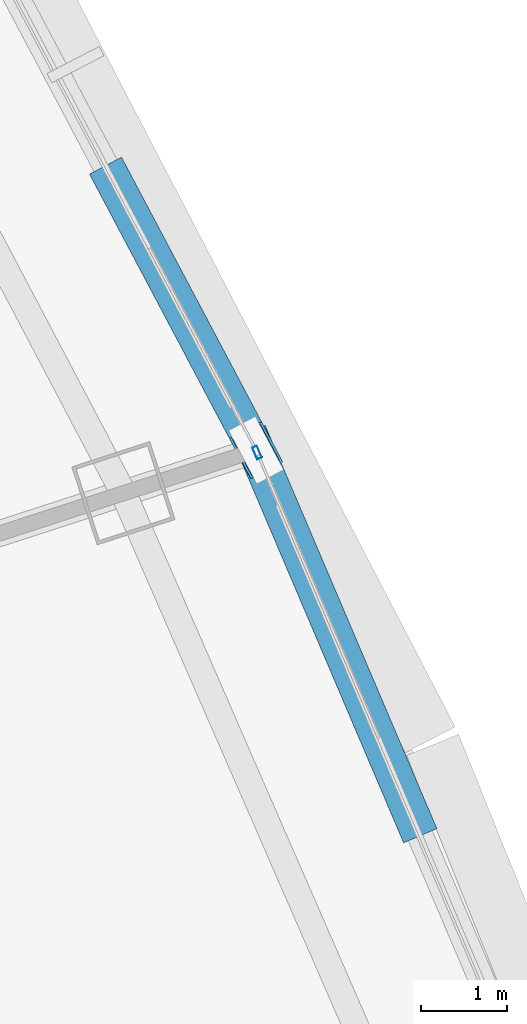
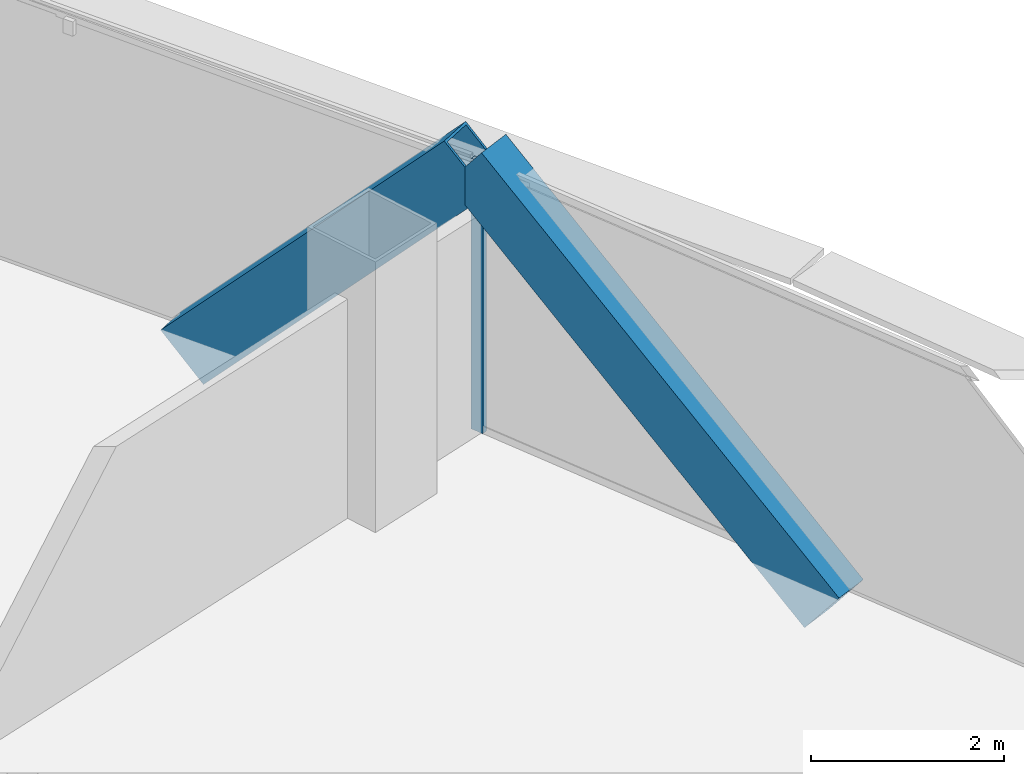
# One storey, part 26 of 39: 3 members, 1 element without a shape of its own.
"""IFC4 building model written with IfcOpenShell, lengths in metres."""

from ifc_helpers import new_model, si_unit, direction, frame, origin, origin_2d, place, context, subcontext, project, spatial, hollow_rectangle, extrude, source, transform, mapped, material, layer, layer_set, material_profile, profile_set, type_object, element, aggregate, save


model = new_model("IFC4")

# Units and contexts
model_context = context("Model", 3, precision=1e-05, world=origin(), true_north=direction((0.0, 1.0)))
body_context = subcontext(model_context, "Body", "Model", "MODEL_VIEW")
ifc_project = project(units=[si_unit("LENGTHUNIT", "METRE"), si_unit("AREAUNIT", "SQUARE_METRE"), si_unit("VOLUMEUNIT", "CUBIC_METRE"), si_unit("PLANEANGLEUNIT", "RADIAN"), si_unit("MASSUNIT", "GRAM", prefix="KILO"), si_unit("THERMODYNAMICTEMPERATUREUNIT", "KELVIN"), si_unit("POWERUNIT", "WATT")], contexts=[model_context])

# Site, building, storey
site_placement = place(None, origin())
site = spatial("IfcSite", under=ifc_project, at=site_placement, CompositionType="ELEMENT")
building_placement = place(site_placement, origin())
building = spatial("IfcBuilding", under=site, at=building_placement, Name="Yunzhuo Pagoda Commons", CompositionType="ELEMENT")
storey_placement = place(building_placement, frame((0.0, 0.0, 140.8701171875)))
storey = spatial("IfcBuildingStorey", under=building, at=storey_placement, Name="L35", CompositionType="ELEMENT", Elevation=140.8701171875)

# Members
ifc_material_1 = material(Name="Structural steel Q420B", Category="steel")
ifc_material_profile_1 = material_profile(ifc_material_1, hollow_rectangle(XDim=0.419921875, YDim=0.719970703125, WallThickness=0.028076171875, at=origin_2d()), Name="Structural steel Q420B")
ifc_profile_set_1 = profile_set([ifc_material_profile_1], Name="Structural steel Q420B")
member_type_1 = type_object("IfcMemberType", Name="M-DL1 Brace BOX 720x420x28", PredefinedType="BRACE", material=ifc_profile_set_1)
shared_shape_1 = source(origin(), body_context, "Body", "SweptSolid", [
    extrude(hollow_rectangle(XDim=0.419921875, YDim=0.719970703125, WallThickness=0.028076171875, at=origin_2d()), origin(), (0.0, 0.0, 1.0), 5.91552734375),
])
member_1_placement = place(storey_placement, frame((81.26611328125, 39.658203125, -0.260009765625), z_axis=(-0.306732639421, 0.720359457542, 0.622091102528), x_axis=(-0.920064094689, -0.391767867064, 0.0)))
element("IfcMember", 1, at=member_1_placement, inside=storey, type_object=member_type_1, Name="L35 facade diamond brace F2.1R", PredefinedType="BRACE", context=body_context, shape_type="MappedRepresentation", body=[
    mapped(shared_shape_1, transform((0.0, 0.0, 0.0), scale=1.0)),
])
shared_shape_2 = source(origin(), body_context, "Body", "SweptSolid", [
    extrude(hollow_rectangle(XDim=0.419921875, YDim=0.719970703125, WallThickness=0.028076171875, at=origin_2d()), origin(), (0.0, 0.0, 1.0), 5.055908203125),
])
member_2_placement = place(storey_placement, frame((77.829833984375, 46.98388671875, -0.260009765625), z_axis=(0.320772870281, -0.606102825195, 0.727835236151), x_axis=(0.883851281898, 0.467768010329, 0.0)))
element("IfcMember", 2, at=member_2_placement, inside=storey, type_object=member_type_1, Name="L35 facade diamond brace F2.2L", PredefinedType="BRACE", context=body_context, shape_type="MappedRepresentation", body=[
    mapped(shared_shape_2, transform((0.0, 0.0, 0.0), scale=1.0)),
])

# Curtain wall, member
ifc_material_2 = material(Name="Anodized aluminium 6063-T6", Category="aluminium")
ifc_layer = layer(ifc_material_2, 0.14990234375)
ifc_layer_set = layer_set([ifc_layer], Name="Anodized aluminium 6063-T6")
curtain_wall_type = type_object("IfcCurtainWallType", Name="CW-MID Mid-Zone Ribbon Curtain Wall", PredefinedType="NOTDEFINED", material=ifc_layer_set)
curtain_wall_placement = place(storey_placement, origin())
curtain_wall = element("IfcCurtainWall", 3, at=curtain_wall_placement, inside=storey, type_object=curtain_wall_type, Name="L35 curtain wall CW-L35-F2B2", PredefinedType="NOTDEFINED")
ifc_material_profile_2 = material_profile(ifc_material_2, hollow_rectangle(XDim=0.06005859375, YDim=0.14990234375, WallThickness=0.00390625, at=origin_2d()), Name="Anodized aluminium 6063-T6")
ifc_profile_set_2 = profile_set([ifc_material_profile_2], Name="Anodized aluminium 6063-T6")
member_type_2 = type_object("IfcMemberType", Name="CW-MID-M Mullion RHS 150x60x4", PredefinedType="MULLION", material=ifc_profile_set_2)
shared_shape_3 = source(origin(), body_context, "Body", "SweptSolid", [
    extrude(hollow_rectangle(XDim=0.06005859375, YDim=0.14990234375, WallThickness=0.00390625, at=origin_2d()), origin(), (0.0, 0.0, 1.0), 3.419921875),
])
member_3_placement = place(storey_placement, frame((79.46337890625, 43.8916015625, 0.0), z_axis=(0.0, 0.0, 1.0), x_axis=(-0.920072228059, -0.391748765351, 0.0)))
member_3 = element("IfcMember", 4, at=member_3_placement, type_object=member_type_2, Name="CW mullion 2", PredefinedType="MULLION", context=body_context, shape_type="MappedRepresentation", body=[
    mapped(shared_shape_3, transform((0.0, 0.0, 0.0), scale=1.0)),
])
aggregate(curtain_wall, [member_3])

save(model, "model.ifc")
